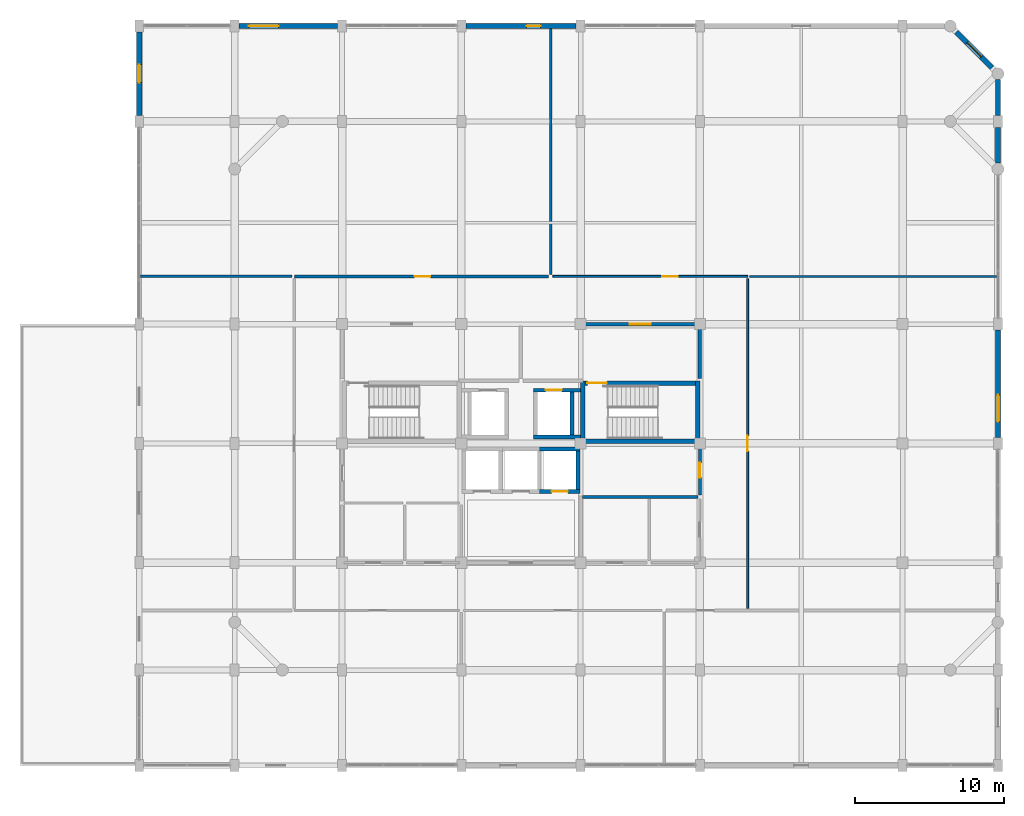
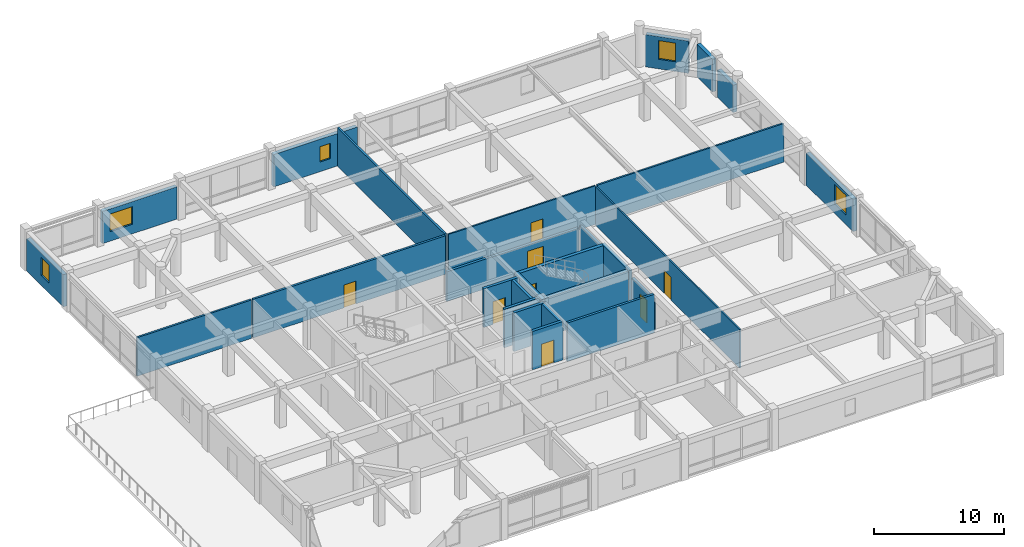
# One storey, part 12 of 14: 27 walls, 8 doors, 5 windows, 13 openings.
"""IFC4 building model written with IfcOpenShell, lengths in metres."""

from ifc_helpers import new_model, si_unit, direction, frame, frame_2d, origin, place, context, subcontext, project, spatial, rectangle, extrude, material, layer, layer_set, type_object, element, fill, save


model = new_model("IFC4")

# Units and contexts
model_context = context("Model", 3, precision=1e-05, world=origin(), true_north=direction((0.0, 1.0)))
body_context = subcontext(model_context, "Body", "Model", "MODEL_VIEW")
ifc_project = project(units=[si_unit("LENGTHUNIT", "METRE"), si_unit("AREAUNIT", "SQUARE_METRE"), si_unit("VOLUMEUNIT", "CUBIC_METRE"), si_unit("PLANEANGLEUNIT", "RADIAN"), si_unit("MASSUNIT", "GRAM", prefix="KILO")], contexts=[model_context])

# Site, building, storey
site_placement = place(None, origin())
site = spatial("IfcSite", under=ifc_project, at=site_placement, CompositionType="ELEMENT")
building_placement = place(site_placement, origin())
building = spatial("IfcBuilding", under=site, at=building_placement, Name="Vellmiral Cinema and Media Centre", CompositionType="ELEMENT")
storey_placement = place(building_placement, frame((0.0, 0.0, 27.800048828125)))
storey = spatial("IfcBuildingStorey", under=building, at=storey_placement, Name="L06", CompositionType="ELEMENT", Elevation=27.800048828125)

# Wall
ifc_material_1 = material(Name="Concrete C40/50", Category="concrete")
ifc_layer_1 = layer(ifc_material_1, 0.2099609375, Name="Concrete C40/50")
ifc_layer_set_1 = layer_set([ifc_layer_1], Name="Concrete C40/50")
wall_type_1 = type_object("IfcWallType", Name="WL-COMP-210", PredefinedType="SOLIDWALL", material=ifc_layer_set_1)
wall_1_placement = place(storey_placement, frame((140.139892578125, 83.60009765625, 0.0), z_axis=(0.0, 0.0, 1.0), x_axis=(1.0, 0.0, 0.0)))
element("IfcWall", 1, at=wall_1_placement, inside=storey, type_object=wall_type_1, Name="Mechanical Riser and Duct Room Wall S", PredefinedType="SOLIDWALL", context=body_context, shape_type="SweptSolid", body=[
    extrude(rectangle(XDim=7.72021484375, YDim=0.2099609375, at=frame_2d((3.860107421875, 0.0))), origin(), (0.0, 0.0, 1.0), 3.619873046875),
])

# Wall, opening, door
wall_2_placement = place(storey_placement, frame((148.0, 83.739990234375, 0.0), z_axis=(0.0, 0.0, 1.0), x_axis=(0.0, 1.0, 0.0)))
wall_2 = element("IfcWall", 2, at=wall_2_placement, inside=storey, type_object=wall_type_1, Name="Mechanical Riser and Duct Room Wall E", PredefinedType="SOLIDWALL", context=body_context, shape_type="SweptSolid", body=[
    extrude(rectangle(XDim=3.320068359375, YDim=0.2099609375, at=frame_2d((1.66015625, 0.0))), origin(), (0.0, 0.0, 1.0), 2.98486328125),
])
opening_1_placement = place(wall_2_placement, frame((1.159912109375, 0.0, 0.0)))
opening_1 = element("IfcOpeningElement", 3, at=opening_1_placement, cuts=wall_2, Name="Opening D-FD30B", PredefinedType="OPENING", context=body_context, shape_type="SweptSolid", body=[
    extrude(rectangle(XDim=1.0, YDim=2.14990234375, at=frame_2d((0.5, 1.074951171875))), frame((0.0, 0.116943359375, 0.0), z_axis=(0.0, -1.0, 0.0), x_axis=(1.0, 0.0, 0.0)), (0.0, 0.0, 1.0), 0.23388671875),
])
ifc_material_2 = material(Name="Steel Riser Fire Door", Category="steel")
door_type_1 = type_object("IfcDoorType", Name="DR-FD30-1000x2150", OperationType="NOTDEFINED", PredefinedType="DOOR", material=ifc_material_2)
door_1_placement = place(opening_1_placement, origin())
door_1 = element("IfcDoor", 4, at=door_1_placement, inside=storey, type_object=door_type_1, Name="Mechanical Riser and Duct Room Door", OperationType="SINGLE_SWING_LEFT", OverallHeight=2.14990234375, OverallWidth=1.0, PredefinedType="DOOR", context=body_context, shape_type="SweptSolid", body=[
    extrude(rectangle(XDim=1.0, YDim=2.14990234375, at=frame_2d((0.5, 1.074951171875))), frame((0.0, 0.02490234375, 0.0), z_axis=(0.0, -1.0, 0.0), x_axis=(1.0, 0.0, 0.0)), (0.0, 0.0, 1.0), 0.050048828125),
])
fill(opening_1, door_1)

# Walls
ifc_material_3 = material(Name="Concrete C40/50", Category="concrete")
ifc_layer_2 = layer(ifc_material_3, 0.300048828125, Name="Concrete C40/50")
ifc_layer_set_2 = layer_set([ifc_layer_2], Name="Concrete C40/50")
wall_type_2 = type_object("IfcWallType", Name="WL-CORE-300", PredefinedType="SHEAR", material=ifc_layer_set_2)
for number, where, z_axis, x_axis, name in (
    (5, (140.14990234375, 87.199951171875, 0.0), (0.0, 0.0, 1.0), (0.0, 1.0, 0.0), "Stair Core Wall ST-T2 L06-W"),
    (6, (147.85009765625, 87.199951171875, 0.0), (0.0, 0.0, 1.0), (0.0, 1.0, 0.0), "Stair Core Wall ST-T2 L06-E"),
):
    element("IfcWall", number, at=place(storey_placement, frame(where, z_axis=z_axis, x_axis=x_axis)), inside=storey, type_object=wall_type_2, Name=name, PredefinedType="SHEAR", context=body_context, shape_type="SweptSolid", body=[
        extrude(rectangle(XDim=4.199951171875, YDim=0.300048828125, at=frame_2d((2.10009765625, 0.0))), origin(), (0.0, 0.0, 1.0), 3.619873046875),
    ])
wall_3_placement = place(storey_placement, frame((140.300048828125, 87.35009765625, 0.0), z_axis=(0.0, 0.0, 1.0), x_axis=(1.0, 0.0, 0.0)))
element("IfcWall", 7, at=wall_3_placement, inside=storey, type_object=wall_type_2, Name="Stair Core Wall ST-T2 L06-S", PredefinedType="SHEAR", context=body_context, shape_type="SweptSolid", body=[
    extrude(rectangle(XDim=7.39990234375, YDim=0.300048828125, at=frame_2d((3.699951171875, 0.0))), origin(), (0.0, 0.0, 1.0), 3.619873046875),
])

# Wall, opening, door
wall_4_placement = place(storey_placement, frame((140.300048828125, 91.25, 0.0), z_axis=(0.0, 0.0, 1.0), x_axis=(1.0, 0.0, 0.0)))
wall_4 = element("IfcWall", 8, at=wall_4_placement, inside=storey, type_object=wall_type_2, Name="Stair Core Wall ST-T2 L06-N", PredefinedType="SHEAR", context=body_context, shape_type="SweptSolid", body=[
    extrude(rectangle(XDim=7.39990234375, YDim=0.300048828125, at=frame_2d((3.699951171875, 0.0))), origin(), (0.0, 0.0, 1.0), 3.619873046875),
])
opening_2_placement = place(wall_4_placement, frame((0.159912109375, 0.0, 0.0)))
opening_2 = element("IfcOpeningElement", 9, at=opening_2_placement, cuts=wall_4, Name="Opening D-FD30A", PredefinedType="OPENING", context=body_context, shape_type="SweptSolid", body=[
    extrude(rectangle(XDim=1.300048828125, YDim=2.179931640625, at=frame_2d((0.64990234375, 1.08984375))), frame((0.0, 0.162109375, 0.0), z_axis=(0.0, -1.0, 0.0), x_axis=(1.0, 0.0, 0.0)), (0.0, 0.0, 1.0), 0.323974609375),
])
ifc_material_4 = material(Name="Steel Stair Fire Door", Category="steel")
door_type_2 = type_object("IfcDoorType", Name="DR-FD30-1300x2180", OperationType="NOTDEFINED", PredefinedType="DOOR", material=ifc_material_4)
door_2_placement = place(opening_2_placement, frame((1.300048828125, 0.0, 0.0), z_axis=(0.0, 0.0, 1.0), x_axis=(-1.0, 0.0, 0.0)))
door_2 = element("IfcDoor", 10, at=door_2_placement, inside=storey, type_object=door_type_2, Name="Protected Stair Door ST-T2 L06", OperationType="SINGLE_SWING_RIGHT", OverallHeight=2.179931640625, OverallWidth=1.300048828125, PredefinedType="DOOR", context=body_context, shape_type="SweptSolid", body=[
    extrude(rectangle(XDim=1.300048828125, YDim=2.179931640625, at=frame_2d((0.64990234375, 1.08984375))), frame((0.0, 0.02490234375, 0.0), z_axis=(0.0, -1.0, 0.0), x_axis=(1.0, 0.0, 0.0)), (0.0, 0.0, 1.0), 0.050048828125),
])
fill(opening_2, door_2)

# Wall
ifc_material_5 = material(Name="Polychrome Glazed Ceramic Cladding", Category="masonry")
ifc_layer_3 = layer(ifc_material_5, 0.320068359375, Name="Polychrome Glazed Ceramic Cladding")
ifc_layer_set_3 = layer_set([ifc_layer_3], Name="Polychrome Glazed Ceramic Cladding")
wall_type_3 = type_object("IfcWallType", Name="WL-EXT-BRICK-320", PredefinedType="SOLIDWALL", material=ifc_layer_set_3)
wall_5_placement = place(storey_placement, frame((168.0, 109.199951171875, 0.0), z_axis=(0.0, 0.0, 1.0), x_axis=(0.0, 1.0, 0.0)))
element("IfcWall", 11, at=wall_5_placement, inside=storey, type_object=wall_type_3, Name="Exterior Facade Wall L06-015", PredefinedType="SOLIDWALL", context=body_context, shape_type="SweptSolid", body=[
    extrude(rectangle(XDim=2.400146484375, YDim=0.320068359375, at=frame_2d((1.2001953125, 0.0))), origin(), (0.0, 0.0, 1.0), 3.0400390625),
])

# Wall, opening, window
ifc_material_6 = material(Name="Vosges Red Sandstone Masonry", Category="masonry")
ifc_layer_4 = layer(ifc_material_6, 0.340087890625, Name="Vosges Red Sandstone Masonry")
ifc_layer_set_4 = layer_set([ifc_layer_4], Name="Vosges Red Sandstone Masonry")
wall_type_4 = type_object("IfcWallType", Name="WL-EXT-SAND-340", PredefinedType="SOLIDWALL", material=ifc_layer_set_4)
wall_6_placement = place(storey_placement, frame((168.0, 87.60009765625, 0.0), z_axis=(0.0, 0.0, 1.0), x_axis=(0.0, 1.0, 0.0)))
wall_6 = element("IfcWall", 12, at=wall_6_placement, inside=storey, type_object=wall_type_4, Name="Exterior Facade Wall L06-012", PredefinedType="SOLIDWALL", context=body_context, shape_type="SweptSolid", body=[
    extrude(rectangle(XDim=7.199951171875, YDim=0.340087890625, at=frame_2d((3.60009765625, 0.0))), origin(), (0.0, 0.0, 1.0), 3.02490234375),
])
opening_3_placement = place(wall_6_placement, frame((1.050048828125, 0.0, 0.89990234375)))
opening_3 = element("IfcOpeningElement", 13, at=opening_3_placement, cuts=wall_6, Name="Opening WN-04", PredefinedType="OPENING", context=body_context, shape_type="SweptSolid", body=[
    extrude(rectangle(XDim=1.800048828125, YDim=1.85009765625, at=frame_2d((0.89990234375, 0.925048828125))), frame((0.0, 0.18212890625, 0.0), z_axis=(0.0, -1.0, 0.0), x_axis=(1.0, 0.0, 0.0)), (0.0, 0.0, 1.0), 0.364013671875),
])
ifc_material_7 = material(Name="Thermally Broken Aluminium Triple Glazing", Category="aluminium")
window_type_1 = type_object("IfcWindowType", Name="WN-1800x1850", PartitioningType="DOUBLE_PANEL_VERTICAL", PredefinedType="WINDOW", material=ifc_material_7)
window_1_placement = place(opening_3_placement, origin())
window_1 = element("IfcWindow", 14, at=window_1_placement, inside=storey, type_object=window_type_1, Name="Window L06-012", OverallHeight=1.85009765625, OverallWidth=1.800048828125, PartitioningType="DOUBLE_PANEL_VERTICAL", PredefinedType="WINDOW", context=body_context, shape_type="SweptSolid", body=[
    extrude(rectangle(XDim=1.800048828125, YDim=1.85009765625, at=frame_2d((0.89990234375, 0.925048828125))), frame((0.0, 0.030029296875, 0.0), z_axis=(0.0, -1.0, 0.0), x_axis=(1.0, 0.0, 0.0)), (0.0, 0.0, 1.0), 0.06005859375),
])
fill(opening_3, window_1)

# Wall
wall_7_placement = place(storey_placement, frame((168.0, 106.0, 0.0), z_axis=(0.0, 0.0, 1.0), x_axis=(0.0, 1.0, 0.0)))
element("IfcWall", 15, at=wall_7_placement, inside=storey, type_object=wall_type_4, Name="Exterior Facade Wall L06-014", PredefinedType="SOLIDWALL", context=body_context, shape_type="SweptSolid", body=[
    extrude(rectangle(XDim=2.39990234375, YDim=0.340087890625, at=frame_2d((1.199951171875, 0.0))), origin(), (0.0, 0.0, 1.0), 2.574951171875),
])

# Wall, opening, window
wall_8_placement = place(storey_placement, frame((167.60009765625, 112.39990234375, 0.0), z_axis=(0.0, 0.0, 1.0), x_axis=(-0.707106781187, 0.707106781187, 0.0)))
wall_8 = element("IfcWall", 16, at=wall_8_placement, inside=storey, type_object=wall_type_4, Name="Exterior Facade Wall L06-016", PredefinedType="SOLIDWALL", context=body_context, shape_type="SweptSolid", body=[
    extrude(rectangle(XDim=3.394287109375, YDim=0.340087890625, at=frame_2d((1.697265625, 0.0))), origin(), (0.0, 0.0, 1.0), 3.034912109375),
])
opening_4_placement = place(wall_8_placement, frame((1.022216796875, 0.0, 0.89990234375)))
opening_4 = element("IfcOpeningElement", 17, at=opening_4_placement, cuts=wall_8, Name="Opening WN-08", PredefinedType="OPENING", context=body_context, shape_type="SweptSolid", body=[
    extrude(rectangle(XDim=1.35009765625, YDim=1.75, at=frame_2d((0.675048828125, 0.875))), frame((0.0, 0.18212890625, 0.0), z_axis=(0.0, -1.0, 0.0), x_axis=(1.0, 0.0, 0.0)), (0.0, 0.0, 1.0), 0.364013671875),
])
ifc_material_8 = material(Name="Thermally Broken Aluminium Triple Glazing", Category="aluminium")
window_type_2 = type_object("IfcWindowType", Name="WN-1350x1750", PartitioningType="SINGLE_PANEL", PredefinedType="WINDOW", material=ifc_material_8)
window_2_placement = place(opening_4_placement, origin())
window_2 = element("IfcWindow", 18, at=window_2_placement, inside=storey, type_object=window_type_2, Name="Window L06-016", OverallHeight=1.75, OverallWidth=1.35009765625, PartitioningType="SINGLE_PANEL", PredefinedType="WINDOW", context=body_context, shape_type="SweptSolid", body=[
    extrude(rectangle(XDim=1.35009765625, YDim=1.75, at=frame_2d((0.675048828125, 0.875))), frame((0.0, 0.030029296875, 0.0), z_axis=(0.0, -1.0, 0.0), x_axis=(1.0, 0.0, 0.0)), (0.0, 0.0, 1.0), 0.06005859375),
])
fill(opening_4, window_2)

wall_9_placement = place(storey_placement, frame((139.699951171875, 115.199951171875, 0.0), z_axis=(0.0, 0.0, 1.0), x_axis=(-1.0, 0.0, 0.0)))
wall_9 = element("IfcWall", 19, at=wall_9_placement, inside=storey, type_object=wall_type_4, Name="Exterior Facade Wall L06-020", PredefinedType="SOLIDWALL", context=body_context, shape_type="SweptSolid", body=[
    extrude(rectangle(XDim=7.39990234375, YDim=0.340087890625, at=frame_2d((3.699951171875, 0.0))), origin(), (0.0, 0.0, 1.0), 3.0400390625),
])
opening_5_placement = place(wall_9_placement, frame((2.375, 0.0, 0.89990234375)))
opening_5 = element("IfcOpeningElement", 20, at=opening_5_placement, cuts=wall_9, Name="Opening WN-12", PredefinedType="OPENING", context=body_context, shape_type="SweptSolid", body=[
    extrude(rectangle(XDim=0.949951171875, YDim=1.449951171875, at=frame_2d((0.47509765625, 0.72509765625))), frame((0.0, 0.18212890625, 0.0), z_axis=(0.0, -1.0, 0.0), x_axis=(1.0, 0.0, 0.0)), (0.0, 0.0, 1.0), 0.364013671875),
])
ifc_material_9 = material(Name="Thermally Broken Aluminium Triple Glazing", Category="aluminium")
window_type_3 = type_object("IfcWindowType", Name="WN-0950x1450", PartitioningType="SINGLE_PANEL", PredefinedType="WINDOW", material=ifc_material_9)
window_3_placement = place(opening_5_placement, origin())
window_3 = element("IfcWindow", 21, at=window_3_placement, inside=storey, type_object=window_type_3, Name="Window L06-020", OverallHeight=1.449951171875, OverallWidth=0.949951171875, PartitioningType="SINGLE_PANEL", PredefinedType="WINDOW", context=body_context, shape_type="SweptSolid", body=[
    extrude(rectangle(XDim=0.949951171875, YDim=1.449951171875, at=frame_2d((0.47509765625, 0.72509765625))), frame((0.0, 0.030029296875, 0.0), z_axis=(0.0, -1.0, 0.0), x_axis=(1.0, 0.0, 0.0)), (0.0, 0.0, 1.0), 0.06005859375),
])
fill(opening_5, window_3)

wall_10_placement = place(storey_placement, frame((123.699951171875, 115.199951171875, 0.0), z_axis=(0.0, 0.0, 1.0), x_axis=(-1.0, 0.0, 0.0)))
wall_10 = element("IfcWall", 22, at=wall_10_placement, inside=storey, type_object=wall_type_4, Name="Exterior Facade Wall L06-022", PredefinedType="SOLIDWALL", context=body_context, shape_type="SweptSolid", body=[
    extrude(rectangle(XDim=6.599853515625, YDim=0.340087890625, at=frame_2d((3.2998046875, 0.0))), origin(), (0.0, 0.0, 1.0), 3.02490234375),
])
opening_6_placement = place(wall_10_placement, frame((3.949951171875, 0.0, 0.89990234375)))
opening_6 = element("IfcOpeningElement", 23, at=opening_6_placement, cuts=wall_10, Name="Opening WN-14", PredefinedType="OPENING", context=body_context, shape_type="SweptSolid", body=[
    extrude(rectangle(XDim=2.0, YDim=1.64990234375, at=frame_2d((1.0, 0.824951171875))), frame((0.0, 0.18212890625, 0.0), z_axis=(0.0, -1.0, 0.0), x_axis=(1.0, 0.0, 0.0)), (0.0, 0.0, 1.0), 0.364013671875),
])
ifc_material_10 = material(Name="Thermally Broken Aluminium Triple Glazing", Category="aluminium")
window_type_4 = type_object("IfcWindowType", Name="WN-2000x1650", PartitioningType="DOUBLE_PANEL_HORIZONTAL", PredefinedType="WINDOW", material=ifc_material_10)
window_4_placement = place(opening_6_placement, origin())
window_4 = element("IfcWindow", 24, at=window_4_placement, inside=storey, type_object=window_type_4, Name="Window L06-022", OverallHeight=1.64990234375, OverallWidth=2.0, PartitioningType="DOUBLE_PANEL_HORIZONTAL", PredefinedType="WINDOW", context=body_context, shape_type="SweptSolid", body=[
    extrude(rectangle(XDim=2.0, YDim=1.64990234375, at=frame_2d((1.0, 0.824951171875))), frame((0.0, 0.030029296875, 0.0), z_axis=(0.0, -1.0, 0.0), x_axis=(1.0, 0.0, 0.0)), (0.0, 0.0, 1.0), 0.06005859375),
])
fill(opening_6, window_4)

wall_11_placement = place(storey_placement, frame((110.39990234375, 114.800048828125, 0.0), z_axis=(0.0, 0.0, 1.0), x_axis=(0.0, -1.0, 0.0)))
wall_11 = element("IfcWall", 25, at=wall_11_placement, inside=storey, type_object=wall_type_4, Name="Exterior Facade Wall L06-024", PredefinedType="SOLIDWALL", context=body_context, shape_type="SweptSolid", body=[
    extrude(rectangle(XDim=5.60009765625, YDim=0.340087890625, at=frame_2d((2.800048828125, 0.0))), origin(), (0.0, 0.0, 1.0), 3.02490234375),
])
opening_7_placement = place(wall_11_placement, frame((2.199951171875, 0.0, 0.89990234375)))
opening_7 = element("IfcOpeningElement", 26, at=opening_7_placement, cuts=wall_11, Name="Opening WN-10", PredefinedType="OPENING", context=body_context, shape_type="SweptSolid", body=[
    extrude(rectangle(XDim=1.199951171875, YDim=1.699951171875, at=frame_2d((0.60009765625, 0.85009765625))), frame((0.0, 0.18212890625, 0.0), z_axis=(0.0, -1.0, 0.0), x_axis=(1.0, 0.0, 0.0)), (0.0, 0.0, 1.0), 0.364013671875),
])
ifc_material_11 = material(Name="Thermally Broken Aluminium Triple Glazing", Category="aluminium")
window_type_5 = type_object("IfcWindowType", Name="WN-1200x1700", PartitioningType="SINGLE_PANEL", PredefinedType="WINDOW", material=ifc_material_11)
window_5_placement = place(opening_7_placement, origin())
window_5 = element("IfcWindow", 27, at=window_5_placement, inside=storey, type_object=window_type_5, Name="Window L06-024", OverallHeight=1.699951171875, OverallWidth=1.199951171875, PartitioningType="SINGLE_PANEL", PredefinedType="WINDOW", context=body_context, shape_type="SweptSolid", body=[
    extrude(rectangle(XDim=1.199951171875, YDim=1.699951171875, at=frame_2d((0.60009765625, 0.85009765625))), frame((0.0, 0.030029296875, 0.0), z_axis=(0.0, -1.0, 0.0), x_axis=(1.0, 0.0, 0.0)), (0.0, 0.0, 1.0), 0.06005859375),
])
fill(opening_7, window_5)

# Wall, opening, door
ifc_material_12 = material(Name="Concrete C40/50", Category="concrete")
ifc_layer_5 = layer(ifc_material_12, 0.22998046875, Name="Concrete C40/50")
ifc_layer_set_5 = layer_set([ifc_layer_5], Name="Concrete C40/50")
wall_type_5 = type_object("IfcWallType", Name="WL-FFL-230", PredefinedType="SOLIDWALL", material=ifc_layer_set_5)
wall_12_placement = place(storey_placement, frame((136.139892578125, 95.199951171875, 0.0), z_axis=(0.0, 0.0, 1.0), x_axis=(1.0, 0.0, 0.0)))
wall_12 = element("IfcWall", 28, at=wall_12_placement, inside=storey, type_object=wall_type_5, Name="Firefighting Lobby East Wall N", PredefinedType="SOLIDWALL", context=body_context, shape_type="SweptSolid", body=[
    extrude(rectangle(XDim=11.72021484375, YDim=0.22998046875, at=frame_2d((5.860107421875, 0.0))), origin(), (0.0, 0.0, 1.0), 2.784912109375),
])
opening_8_placement = place(wall_12_placement, frame((7.159912109375, 0.0, 0.0)))
opening_8 = element("IfcOpeningElement", 29, at=opening_8_placement, cuts=wall_12, Name="Opening D-FD60B", PredefinedType="OPENING", context=body_context, shape_type="SweptSolid", body=[
    extrude(rectangle(XDim=1.39990234375, YDim=2.199951171875, at=frame_2d((0.699951171875, 1.10009765625))), frame((0.0, 0.126953125, 0.0), z_axis=(0.0, -1.0, 0.0), x_axis=(1.0, 0.0, 0.0)), (0.0, 0.0, 1.0), 0.25390625),
])
ifc_material_13 = material(Name="Steel Fire Door", Category="steel")
door_type_3 = type_object("IfcDoorType", Name="DR-FD60-1400x2200", OperationType="NOTDEFINED", PredefinedType="DOOR", material=ifc_material_13)
door_3_placement = place(opening_8_placement, frame((1.39990234375, 0.0, 0.0), z_axis=(0.0, 0.0, 1.0), x_axis=(-1.0, 0.0, 0.0)))
door_3 = element("IfcDoor", 30, at=door_3_placement, inside=storey, type_object=door_type_3, Name="Firefighting Lobby East Door", OperationType="SINGLE_SWING_LEFT", OverallHeight=2.199951171875, OverallWidth=1.39990234375, PredefinedType="DOOR", context=body_context, shape_type="SweptSolid", body=[
    extrude(rectangle(XDim=1.39990234375, YDim=2.199951171875, at=frame_2d((0.699951171875, 1.10009765625))), frame((0.0, 0.02490234375, 0.0), z_axis=(0.0, -1.0, 0.0), x_axis=(1.0, 0.0, 0.0)), (0.0, 0.0, 1.0), 0.050048828125),
])
fill(opening_8, door_3)

# Wall
wall_13_placement = place(storey_placement, frame((148.0, 91.5400390625, 0.0), z_axis=(0.0, 0.0, 1.0), x_axis=(0.0, 1.0, 0.0)))
element("IfcWall", 31, at=wall_13_placement, inside=storey, type_object=wall_type_5, Name="Firefighting Lobby East Wall E", PredefinedType="SOLIDWALL", context=body_context, shape_type="SweptSolid", body=[
    extrude(rectangle(XDim=3.52001953125, YDim=0.22998046875, at=frame_2d((1.760009765625, 0.0))), origin(), (0.0, 0.0, 1.0), 3.034912109375),
])

# Wall, opening, door
ifc_material_14 = material(Name="Gypsum Plasterboard")
ifc_layer_6 = layer(ifc_material_14, 0.02490234375, Name="Gypsum Plasterboard", Category="gypsum")
ifc_material_15 = material(Name="Mineral Wool Acoustic Insulation", Category="insulation")
ifc_layer_7 = layer(ifc_material_15, 0.080078125, Name="Mineral Wool Acoustic Insulation", Category="insulation")
ifc_layer_8 = layer(ifc_material_14, 0.02490234375, Name="Gypsum Plasterboard", Category="gypsum")
ifc_layer_set_6 = layer_set([ifc_layer_6, ifc_layer_7, ifc_layer_8], Name="Gypsum Plasterboard")
wall_type_6 = type_object("IfcWallType", Name="WL-PART-130", PredefinedType="PARTITIONING", material=ifc_layer_set_6)
wall_14_placement = place(storey_placement, frame((151.199951171875, 76.139892578125, 0.0), z_axis=(0.0, 0.0, 1.0), x_axis=(0.0, 1.0, 0.0)))
wall_14 = element("IfcWall", 32, at=wall_14_placement, inside=storey, type_object=wall_type_6, Name="East Animation Open Studio Wall W", PredefinedType="PARTITIONING", context=body_context, shape_type="SweptSolid", body=[
    extrude(rectangle(XDim=22.1201171875, YDim=0.1298828125, at=frame_2d((11.06005859375, 0.0))), origin(), (0.0, 0.0, 1.0), 3.619873046875),
])
opening_9_placement = place(wall_14_placement, frame((10.534912109375, 0.0, 0.0)))
opening_9 = element("IfcOpeningElement", 33, at=opening_9_placement, cuts=wall_14, Name="Opening D-I07", PredefinedType="OPENING", context=body_context, shape_type="SweptSolid", body=[
    extrude(rectangle(XDim=1.050048828125, YDim=2.14990234375, at=frame_2d((0.52490234375, 1.074951171875))), frame((0.0, 0.076904296875, 0.0), z_axis=(0.0, -1.0, 0.0), x_axis=(1.0, 0.0, 0.0)), (0.0, 0.0, 1.0), 0.15380859375),
])
ifc_material_16 = material(Name="Laminated Timber Door", Category="wood")
door_type_4 = type_object("IfcDoorType", Name="DR-INT-1050x2150", OperationType="NOTDEFINED", PredefinedType="DOOR", material=ifc_material_16)
door_4_placement = place(opening_9_placement, origin())
door_4 = element("IfcDoor", 34, at=door_4_placement, inside=storey, type_object=door_type_4, Name="East Animation Open Studio Door", OperationType="SINGLE_SWING_RIGHT", OverallHeight=2.14990234375, OverallWidth=1.050048828125, PredefinedType="DOOR", context=body_context, shape_type="SweptSolid", body=[
    extrude(rectangle(XDim=1.050048828125, YDim=2.14990234375, at=frame_2d((0.52490234375, 1.074951171875))), frame((0.0, 0.02490234375, 0.0), z_axis=(0.0, -1.0, 0.0), x_axis=(1.0, 0.0, 0.0)), (0.0, 0.0, 1.0), 0.050048828125),
])
fill(opening_9, door_4)

wall_15_placement = place(storey_placement, frame((138.139892578125, 98.39990234375, 0.0), z_axis=(0.0, 0.0, 1.0), x_axis=(1.0, 0.0, 0.0)))
wall_15 = element("IfcWall", 35, at=wall_15_placement, inside=storey, type_object=wall_type_6, Name="North-East Compositing Studio Wall S", PredefinedType="PARTITIONING", context=body_context, shape_type="SweptSolid", body=[
    extrude(rectangle(XDim=13.06005859375, YDim=0.1298828125, at=frame_2d((6.530029296875, 0.0))), origin(), (0.0, 0.0, 1.0), 3.619873046875),
])
opening_10_placement = place(wall_15_placement, frame((7.3349609375, 0.0, 0.0)))
opening_10 = element("IfcOpeningElement", 36, at=opening_10_placement, cuts=wall_15, Name="Opening D-I07", PredefinedType="OPENING", context=body_context, shape_type="SweptSolid", body=[
    extrude(rectangle(XDim=1.050048828125, YDim=2.14990234375, at=frame_2d((0.52490234375, 1.074951171875))), frame((0.0, 0.076904296875, 0.0), z_axis=(0.0, -1.0, 0.0), x_axis=(1.0, 0.0, 0.0)), (0.0, 0.0, 1.0), 0.15380859375),
])
door_5_placement = place(opening_10_placement, frame((1.050048828125, 0.0, 0.0), z_axis=(0.0, 0.0, 1.0), x_axis=(-1.0, 0.0, 0.0)))
door_5 = element("IfcDoor", 37, at=door_5_placement, inside=storey, type_object=door_type_4, Name="North-East Compositing Studio Door", OperationType="SINGLE_SWING_LEFT", OverallHeight=2.14990234375, OverallWidth=1.050048828125, PredefinedType="DOOR", context=body_context, shape_type="SweptSolid", body=[
    extrude(rectangle(XDim=1.050048828125, YDim=2.14990234375, at=frame_2d((0.52490234375, 1.074951171875))), frame((0.0, 0.02490234375, 0.0), z_axis=(0.0, -1.0, 0.0), x_axis=(1.0, 0.0, 0.0)), (0.0, 0.0, 1.0), 0.050048828125),
])
fill(opening_10, door_5)

# Walls
ifc_material_17 = material(Name="Gypsum Plasterboard")
ifc_layer_9 = layer(ifc_material_17, 0.02490234375, Name="Gypsum Plasterboard", Category="gypsum")
ifc_material_18 = material(Name="Mineral Wool Acoustic Insulation", Category="insulation")
ifc_layer_10 = layer(ifc_material_18, 0.10009765625, Name="Mineral Wool Acoustic Insulation", Category="insulation")
ifc_layer_11 = layer(ifc_material_17, 0.02490234375, Name="Gypsum Plasterboard", Category="gypsum")
ifc_layer_set_7 = layer_set([ifc_layer_9, ifc_layer_10, ifc_layer_11], Name="Gypsum Plasterboard")
wall_type_7 = type_object("IfcWallType", Name="WL-PART-150", PredefinedType="PARTITIONING", material=ifc_layer_set_7)
wall_16_placement = place(storey_placement, frame((151.340087890625, 98.39990234375, 0.0), z_axis=(0.0, 0.0, 1.0), x_axis=(1.0, 0.0, 0.0)))
element("IfcWall", 38, at=wall_16_placement, inside=storey, type_object=wall_type_7, Name="East Animation Open Studio Wall N", PredefinedType="PARTITIONING", context=body_context, shape_type="SweptSolid", body=[
    extrude(rectangle(XDim=16.56494140625, YDim=0.14990234375, at=frame_2d((8.282470703125, 0.0))), origin(), (0.0, 0.0, 1.0), 3.619873046875),
])
ifc_material_19 = material(Name="Gypsum Plasterboard")
ifc_layer_12 = layer(ifc_material_19, 0.02490234375, Name="Gypsum Plasterboard", Category="gypsum")
ifc_material_20 = material(Name="Mineral Wool Acoustic Insulation", Category="insulation")
ifc_layer_13 = layer(ifc_material_20, 0.1201171875, Name="Mineral Wool Acoustic Insulation", Category="insulation")
ifc_layer_14 = layer(ifc_material_19, 0.02490234375, Name="Gypsum Plasterboard", Category="gypsum")
ifc_layer_set_8 = layer_set([ifc_layer_12, ifc_layer_13, ifc_layer_14], Name="Gypsum Plasterboard")
wall_type_8 = type_object("IfcWallType", Name="WL-PART-170", PredefinedType="PARTITIONING", material=ifc_layer_set_8)
wall_17_placement = place(storey_placement, frame((110.4951171875, 98.39990234375, 0.0), z_axis=(0.0, 0.0, 1.0), x_axis=(1.0, 0.0, 0.0)))
element("IfcWall", 39, at=wall_17_placement, inside=storey, type_object=wall_type_8, Name="West Setback Terrace Media Lounge Wall N", PredefinedType="PARTITIONING", context=body_context, shape_type="SweptSolid", body=[
    extrude(rectangle(XDim=10.164794921875, YDim=0.169921875, at=frame_2d((5.08251953125, 0.0))), origin(), (0.0, 0.0, 1.0), 3.619873046875),
])
wall_18_placement = place(storey_placement, frame((138.0, 98.5400390625, 0.0), z_axis=(0.0, 0.0, 1.0), x_axis=(0.0, 1.0, 0.0)))
element("IfcWall", 40, at=wall_18_placement, inside=storey, type_object=wall_type_8, Name="North-West VFX Studio Wall E", PredefinedType="PARTITIONING", context=body_context, shape_type="SweptSolid", body=[
    extrude(rectangle(XDim=16.474853515625, YDim=0.169921875, at=frame_2d((8.2373046875, 0.0))), origin(), (0.0, 0.0, 1.0), 3.619873046875),
])

# Wall, opening, door
ifc_material_21 = material(Name="Gypsum Plasterboard")
ifc_layer_15 = layer(ifc_material_21, 0.02490234375, Name="Gypsum Plasterboard", Category="gypsum")
ifc_material_22 = material(Name="Mineral Wool Acoustic Insulation", Category="insulation")
ifc_layer_16 = layer(ifc_material_22, 0.139892578125, Name="Mineral Wool Acoustic Insulation", Category="insulation")
ifc_layer_17 = layer(ifc_material_21, 0.02490234375, Name="Gypsum Plasterboard", Category="gypsum")
ifc_layer_set_9 = layer_set([ifc_layer_15, ifc_layer_16, ifc_layer_17], Name="Gypsum Plasterboard")
wall_type_9 = type_object("IfcWallType", Name="WL-PART-190", PredefinedType="PARTITIONING", material=ifc_layer_set_9)
wall_19_placement = place(storey_placement, frame((120.800048828125, 98.39990234375, 0.0), z_axis=(0.0, 0.0, 1.0), x_axis=(1.0, 0.0, 0.0)))
wall_19 = element("IfcWall", 41, at=wall_19_placement, inside=storey, type_object=wall_type_9, Name="North-West VFX Studio Wall S", PredefinedType="PARTITIONING", context=body_context, shape_type="SweptSolid", body=[
    extrude(rectangle(XDim=17.06005859375, YDim=0.18994140625, at=frame_2d((8.530029296875, 0.0))), origin(), (0.0, 0.0, 1.0), 3.619873046875),
])
opening_11_placement = place(wall_19_placement, frame((8.074951171875, 0.0, 0.0)))
opening_11 = element("IfcOpeningElement", 42, at=opening_11_placement, cuts=wall_19, Name="Opening D-I07", PredefinedType="OPENING", context=body_context, shape_type="SweptSolid", body=[
    extrude(rectangle(XDim=1.050048828125, YDim=2.14990234375, at=frame_2d((0.52490234375, 1.074951171875))), frame((0.0, 0.10693359375, 0.0), z_axis=(0.0, -1.0, 0.0), x_axis=(1.0, 0.0, 0.0)), (0.0, 0.0, 1.0), 0.2138671875),
])
door_6_placement = place(opening_11_placement, frame((1.050048828125, 0.0, 0.0), z_axis=(0.0, 0.0, 1.0), x_axis=(-1.0, 0.0, 0.0)))
door_6 = element("IfcDoor", 43, at=door_6_placement, inside=storey, type_object=door_type_4, Name="North-West VFX Studio Door", OperationType="SINGLE_SWING_LEFT", OverallHeight=2.14990234375, OverallWidth=1.050048828125, PredefinedType="DOOR", context=body_context, shape_type="SweptSolid", body=[
    extrude(rectangle(XDim=1.050048828125, YDim=2.14990234375, at=frame_2d((0.52490234375, 1.074951171875))), frame((0.0, 0.02490234375, 0.0), z_axis=(0.0, -1.0, 0.0), x_axis=(1.0, 0.0, 0.0)), (0.0, 0.0, 1.0), 0.050048828125),
])
fill(opening_11, door_6)

# Wall
ifc_material_23 = material(Name="Concrete C40/50", Category="concrete")
ifc_layer_18 = layer(ifc_material_23, 0.25, Name="Concrete C40/50")
ifc_layer_set_10 = layer_set([ifc_layer_18], Name="Concrete C40/50")
wall_type_10 = type_object("IfcWallType", Name="WL-SHAFT-250", PredefinedType="SHEAR", material=ifc_layer_set_10)
wall_20_placement = place(storey_placement, frame((136.85009765625, 87.625, 0.0), z_axis=(0.0, 0.0, 1.0), x_axis=(1.0, 0.0, 0.0)))
element("IfcWall", 44, at=wall_20_placement, inside=storey, type_object=wall_type_10, Name="Lift Shaft Wall LF-FF2 L06-S", PredefinedType="SHEAR", context=body_context, shape_type="SweptSolid", body=[
    extrude(rectangle(XDim=3.14990234375, YDim=0.25, at=frame_2d((1.574951171875, 0.0))), origin(), (0.0, 0.0, 1.0), 3.619873046875),
])

# Wall, opening, door
wall_21_placement = place(storey_placement, frame((136.85009765625, 90.77490234375, 0.0), z_axis=(0.0, 0.0, 1.0), x_axis=(1.0, 0.0, 0.0)))
wall_21 = element("IfcWall", 45, at=wall_21_placement, inside=storey, type_object=wall_type_10, Name="Lift Shaft Wall LF-FF2 L06-N", PredefinedType="SHEAR", context=body_context, shape_type="SweptSolid", body=[
    extrude(rectangle(XDim=3.14990234375, YDim=0.25, at=frame_2d((1.574951171875, 0.0))), origin(), (0.0, 0.0, 1.0), 3.619873046875),
])
opening_12_placement = place(wall_21_placement, frame((0.800048828125, 0.0, 0.0)))
opening_12 = element("IfcOpeningElement", 46, at=opening_12_placement, cuts=wall_21, Name="Opening LD-01", PredefinedType="OPENING", context=body_context, shape_type="SweptSolid", body=[
    extrude(rectangle(XDim=1.10009765625, YDim=2.14990234375, at=frame_2d((0.550048828125, 1.074951171875))), frame((0.0, 0.136962890625, 0.0), z_axis=(0.0, -1.0, 0.0), x_axis=(1.0, 0.0, 0.0)), (0.0, 0.0, 1.0), 0.27392578125),
])
ifc_material_24 = material(Name="Stainless Steel Lift Landing Door", Category="steel")
door_type_5 = type_object("IfcDoorType", Name="DR-LIFT-1100x2150", OperationType="SLIDING_TO_LEFT", PredefinedType="DOOR", material=ifc_material_24)
door_7_placement = place(opening_12_placement, origin())
door_7 = element("IfcDoor", 47, at=door_7_placement, inside=storey, type_object=door_type_5, Name="Lift Landing Door LF-FF2 L06", OperationType="SLIDING_TO_LEFT", OverallHeight=2.14990234375, OverallWidth=1.10009765625, PredefinedType="DOOR", context=body_context, shape_type="SweptSolid", body=[
    extrude(rectangle(XDim=1.10009765625, YDim=2.14990234375, at=frame_2d((0.550048828125, 1.074951171875))), frame((0.0, 0.02490234375, 0.0), z_axis=(0.0, -1.0, 0.0), x_axis=(1.0, 0.0, 0.0)), (0.0, 0.0, 1.0), 0.050048828125),
])
fill(opening_12, door_7)

# Wall
wall_22_placement = place(storey_placement, frame((139.425048828125, 87.75, 0.0), z_axis=(0.0, 0.0, 1.0), x_axis=(0.0, 1.0, 0.0)))
element("IfcWall", 48, at=wall_22_placement, inside=storey, type_object=wall_type_10, Name="Lift Shaft Wall LF-FF2 L06-E", PredefinedType="SHEAR", context=body_context, shape_type="SweptSolid", body=[
    extrude(rectangle(XDim=2.89990234375, YDim=0.25, at=frame_2d((1.449951171875, 0.0))), origin(), (0.0, 0.0, 1.0), 3.619873046875),
])

# Wall, opening, door
wall_23_placement = place(storey_placement, frame((137.25, 83.97509765625, 0.0), z_axis=(0.0, 0.0, 1.0), x_axis=(1.0, 0.0, 0.0)))
wall_23 = element("IfcWall", 49, at=wall_23_placement, inside=storey, type_object=wall_type_10, Name="Lift Shaft Wall LF-P3 L06-S", PredefinedType="SHEAR", context=body_context, shape_type="SweptSolid", body=[
    extrude(rectangle(XDim=2.699951171875, YDim=0.25, at=frame_2d((1.35009765625, 0.0))), origin(), (0.0, 0.0, 1.0), 3.619873046875),
])
opening_13_placement = place(wall_23_placement, frame((0.800048828125, 0.0, 0.0)))
opening_13 = element("IfcOpeningElement", 50, at=opening_13_placement, cuts=wall_23, Name="Opening LD-01", PredefinedType="OPENING", context=body_context, shape_type="SweptSolid", body=[
    extrude(rectangle(XDim=1.10009765625, YDim=2.14990234375, at=frame_2d((0.550048828125, 1.074951171875))), frame((0.0, 0.136962890625, 0.0), z_axis=(0.0, -1.0, 0.0), x_axis=(1.0, 0.0, 0.0)), (0.0, 0.0, 1.0), 0.27392578125),
])
door_8_placement = place(opening_13_placement, origin())
door_8 = element("IfcDoor", 51, at=door_8_placement, inside=storey, type_object=door_type_5, Name="Lift Landing Door LF-P3 L06", OperationType="SLIDING_TO_LEFT", OverallHeight=2.14990234375, OverallWidth=1.10009765625, PredefinedType="DOOR", context=body_context, shape_type="SweptSolid", body=[
    extrude(rectangle(XDim=1.10009765625, YDim=2.14990234375, at=frame_2d((0.550048828125, 1.074951171875))), frame((0.0, 0.02490234375, 0.0), z_axis=(0.0, -1.0, 0.0), x_axis=(1.0, 0.0, 0.0)), (0.0, 0.0, 1.0), 0.050048828125),
])
fill(opening_13, door_8)

# Walls
wall_24_placement = place(storey_placement, frame((137.25, 86.824951171875, 0.0), z_axis=(0.0, 0.0, 1.0), x_axis=(1.0, 0.0, 0.0)))
element("IfcWall", 52, at=wall_24_placement, inside=storey, type_object=wall_type_10, Name="Lift Shaft Wall LF-P3 L06-N", PredefinedType="SHEAR", context=body_context, shape_type="SweptSolid", body=[
    extrude(rectangle(XDim=2.699951171875, YDim=0.25, at=frame_2d((1.35009765625, 0.0))), origin(), (0.0, 0.0, 1.0), 3.619873046875),
])
wall_25_placement = place(storey_placement, frame((139.824951171875, 84.10009765625, 0.0), z_axis=(0.0, 0.0, 1.0), x_axis=(0.0, 1.0, 0.0)))
element("IfcWall", 53, at=wall_25_placement, inside=storey, type_object=wall_type_10, Name="Lift Shaft Wall LF-P3 L06-E", PredefinedType="SHEAR", context=body_context, shape_type="SweptSolid", body=[
    extrude(rectangle(XDim=2.599853515625, YDim=0.25, at=frame_2d((1.2998046875, 0.0))), origin(), (0.0, 0.0, 1.0), 3.619873046875),
])

save(model, "model.ifc")
